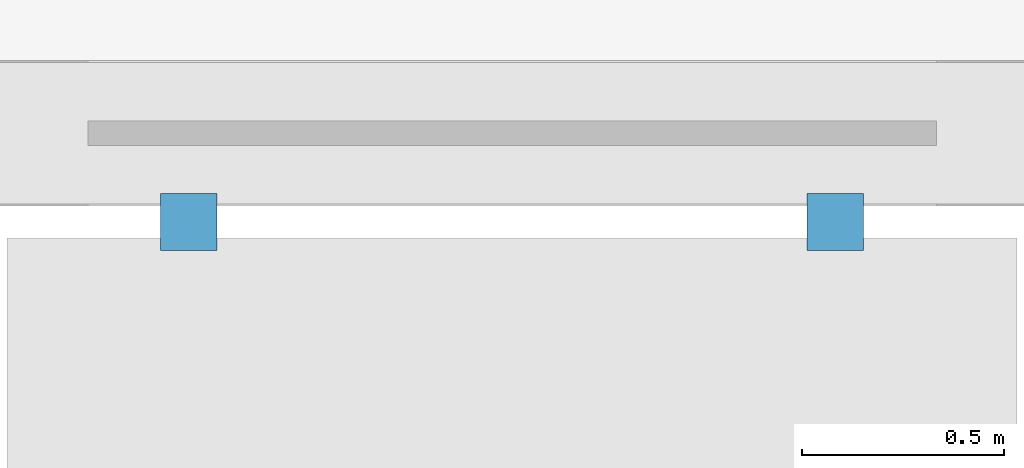
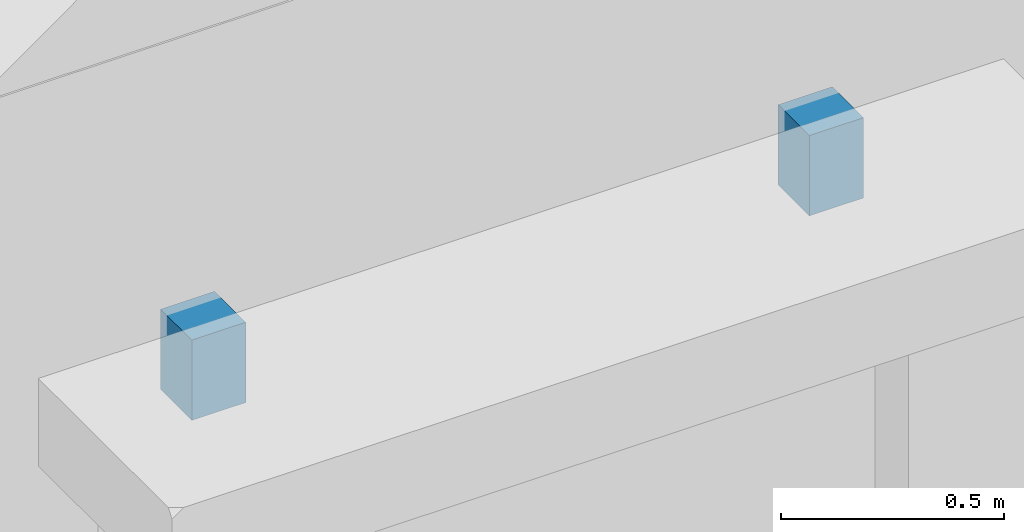
# One storey, part 67 of 75: 2 discrete accessories.
"""IFC4 building model written with IfcOpenShell, lengths in metres."""

import ifcopenshell
import ifcopenshell.guid

model = None  # the IFC model being written
_history = None  # IfcOwnerHistory: only IFC2X3 demands one
_inside = {}  # id of a spatial element -> (the spatial element, [elements in it])
_under = {}  # id of a project, library or spatial element -> (it, [spatial elements below it])
_declared = {}  # id of a project -> (the project, [libraries it declares])
_typed = {}  # id of a type object -> (the type object, [elements of that type])
_made_of = {}  # id of a material, layer set ... -> (it, [elements and type objects made of it])


def new_model(schema):
    """Start an empty IFC model of exactly this schema.

    Asked for "IFC4X3", IfcOpenShell would pick the latest addendum, in which some entities
    have other attributes; the version numbers below select the first issue.
    IFC2X3 requires an IfcOwnerHistory on every rooted entity: one is made here for all.
    """
    global model, _history
    if schema == "IFC4X3":
        model = ifcopenshell.file(schema_version=(4, 3, 0, 0))
    else:
        model = ifcopenshell.file(schema=schema)
    _inside.clear()
    _under.clear()
    _declared.clear()
    _typed.clear()
    _made_of.clear()
    _history = None
    if model.schema == "IFC2X3":
        org = make("IfcOrganization", Name="unknown")
        user = make(
            "IfcPersonAndOrganization",
            ThePerson=make("IfcPerson", FamilyName="unknown"),
            TheOrganization=org,
        )
        app = make(
            "IfcApplication",
            ApplicationDeveloper=org,
            Version="unknown",
            ApplicationFullName="unknown",
            ApplicationIdentifier="unknown",
        )
        _history = make(
            "IfcOwnerHistory",
            OwningUser=user,
            OwningApplication=app,
            ChangeAction="ADDED",
            CreationDate=0,
        )
    return model


def make(cls, **values):
    """One entity of the class cls with the attributes given. An attribute that is None is left unset."""
    return model.create_entity(
        cls, **{name: value for name, value in values.items() if value is not None}
    )


def rooted(cls, **values):
    """An entity with a GlobalId (a new one), such as an element, a storey or a relation."""
    return make(cls, GlobalId=ifcopenshell.guid.new(), OwnerHistory=_history, **values)


def si_unit(unit_type, name, prefix=None):
    """IfcSIUnit, for example si_unit("LENGTHUNIT", "METRE", prefix="MILLI")."""
    return make("IfcSIUnit", UnitType=unit_type, Prefix=prefix, Name=name)


def assignment(units):
    """IfcUnitAssignment: the units of a project."""
    return None if units is None else make("IfcUnitAssignment", Units=units)


def point(xyz):
    """IfcCartesianPoint."""
    return None if xyz is None else make("IfcCartesianPoint", Coordinates=xyz)


def direction(xyz):
    """IfcDirection."""
    return None if xyz is None else make("IfcDirection", DirectionRatios=xyz)


def frame(location, z_axis=None, x_axis=None):
    """IfcAxis2Placement3D, a coordinate frame: its origin and axes. An axis left out is left unset."""
    return make(
        "IfcAxis2Placement3D",
        Location=point(location),
        Axis=direction(z_axis),
        RefDirection=direction(x_axis),
    )


def frame_2d(location, x_axis=None):
    """IfcAxis2Placement2D, a coordinate frame in the plane: its origin and x axis."""
    return make(
        "IfcAxis2Placement2D", Location=point(location), RefDirection=direction(x_axis)
    )


def origin():
    """The frame at (0, 0, 0) with its axes left unset."""
    return frame((0.0, 0.0, 0.0))


def origin_2d():
    """The frame at (0, 0) in the plane with its x axis left unset."""
    return frame_2d((0.0, 0.0))


def place(relative_to, where):
    """IfcLocalPlacement: puts the frame where relative to a parent placement (None: the world)."""
    return make(
        "IfcLocalPlacement", PlacementRelTo=relative_to, RelativePlacement=where
    )


def context(
    kind, dimensions, precision=None, world=None, true_north=None, identifier=None
):
    """IfcGeometricRepresentationContext, for example the 3D "Model" context."""
    return make(
        "IfcGeometricRepresentationContext",
        ContextIdentifier=identifier,
        ContextType=kind,
        CoordinateSpaceDimension=dimensions,
        Precision=precision,
        WorldCoordinateSystem=world,
        TrueNorth=true_north,
    )


def subcontext(parent, identifier, kind, view, scale=None):
    """IfcGeometricRepresentationSubContext, for example "Body" below "Model"."""
    return make(
        "IfcGeometricRepresentationSubContext",
        ContextIdentifier=identifier,
        ContextType=kind,
        ParentContext=parent,
        TargetScale=scale,
        TargetView=view,
    )


def project(units=None, contexts=None):
    """IfcProject with its units and contexts."""
    return rooted(
        "IfcProject",
        Name="project",
        RepresentationContexts=contexts,
        UnitsInContext=assignment(units),
    )


def spatial(cls, under=None, at=None, **own):
    """A site, building, storey or space (cls), placed at a placement, below another one or the project."""
    s = rooted(cls, ObjectPlacement=at, **own)
    if under is not None:
        _under.setdefault(under.id(), (under, []))[1].append(s)
    return s


def profile(cls, at=None, kind="AREA", **sizes):
    """A parametric profile (cls). Its sizes go by their IFC names, for example OverallWidth=200.0."""
    return make(cls, ProfileType=kind, Position=at, **sizes)


def rectangle(**sizes):
    """IfcRectangleProfileDef."""
    return profile("IfcRectangleProfileDef", **sizes)


def extrude(swept, where, along, depth):
    """IfcExtrudedAreaSolid: the profile swept, set in the frame where, extruded along a direction by depth."""
    return make(
        "IfcExtrudedAreaSolid",
        SweptArea=swept,
        Position=where,
        ExtrudedDirection=direction(along),
        Depth=depth,
    )


def shape(context_of_items, identifier, shape_type, items):
    """IfcShapeRepresentation: the items that make up one representation, for example the "Body"."""
    return make(
        "IfcShapeRepresentation",
        ContextOfItems=context_of_items,
        RepresentationIdentifier=identifier,
        RepresentationType=shape_type,
        Items=items,
    )


def material(Name=None, Category=None):
    """IfcMaterial."""
    return make("IfcMaterial", Name=Name, Category=Category)


def made_of(thing, what):
    """Note that an element or type object is made of a material, layer set ...; save() writes the relation."""
    if what is not None:
        _made_of.setdefault(what.id(), (what, []))[1].append(thing)
    return thing


def type_object(cls, material=None, **own):
    """A type object (cls), such as IfcWallType, which elements share."""
    return made_of(rooted(cls, **own), material)


def element(
    cls,
    number,
    at=None,
    inside=None,
    cuts=None,
    type_object=None,
    material=None,
    context=None,
    identifier="Body",
    shape_type=None,
    held_by="IfcProductDefinitionShape",
    body=None,
    shapes=None,
    **own,
):
    """One element of the class cls, such as IfcWall. Its Tag is "e" and its number.

    at: its placement. inside: the storey or other place that contains it. cuts: it is an
    opening in that element (IfcRelVoidsElement). A single representation is given by context,
    identifier, shape_type and body (its items); several are given by shapes. held_by: the class
    of the entity that holds the representations. save() writes the other relations.
    """
    e = rooted(cls, Tag="e%d" % number, ObjectPlacement=at, **own)
    if body is not None:
        shapes = [shape(context, identifier, shape_type, body)]
    if shapes is not None:
        e.Representation = make(held_by, Representations=shapes)
    if inside is not None:
        _inside.setdefault(inside.id(), (inside, []))[1].append(e)
    if cuts is not None:
        rooted(
            "IfcRelVoidsElement", RelatingBuildingElement=cuts, RelatedOpeningElement=e
        )
    if type_object is not None:
        _typed.setdefault(type_object.id(), (type_object, []))[1].append(e)
    return made_of(e, material)


def aggregate(whole, parts):
    """IfcRelAggregates: a whole, such as a stair, and the parts it consists of."""
    return rooted("IfcRelAggregates", RelatingObject=whole, RelatedObjects=parts)


def save(model, path):
    """Write the relations noted so far, then the file.

    IfcRelAggregates (storeys below a building ...), IfcRelContainedInSpatialStructure (elements
    in a storey), IfcRelDefinesByType, IfcRelAssociatesMaterial and IfcRelDeclares: one each for
    every whole, place, type object, material and project.
    """
    for whole, parts in _under.values():
        aggregate(whole, parts)
    for where, things in _inside.values():
        rooted(
            "IfcRelContainedInSpatialStructure",
            RelatedElements=things,
            RelatingStructure=where,
        )
    for kind, things in _typed.values():
        rooted("IfcRelDefinesByType", RelatedObjects=things, RelatingType=kind)
    for what, things in _made_of.values():
        rooted("IfcRelAssociatesMaterial", RelatedObjects=things, RelatingMaterial=what)
    for by, libraries in _declared.values():
        rooted("IfcRelDeclares", RelatingContext=by, RelatedDefinitions=libraries)
    model.write(path)


model = new_model("IFC4")

# Units and contexts
model_context = context("Model", 3, precision=1e-05, world=origin(), true_north=direction((0.0, 1.0)))
body_context = subcontext(model_context, "Body", "Model", "MODEL_VIEW")
ifc_project = project(units=[si_unit("LENGTHUNIT", "METRE"), si_unit("AREAUNIT", "SQUARE_METRE"), si_unit("VOLUMEUNIT", "CUBIC_METRE"), si_unit("PLANEANGLEUNIT", "RADIAN"), si_unit("MASSUNIT", "GRAM", prefix="KILO")], contexts=[model_context])

# Site, building, storey
site_placement = place(None, origin())
site = spatial("IfcSite", under=ifc_project, at=site_placement, CompositionType="ELEMENT")
building_placement = place(site_placement, origin())
building = spatial("IfcBuilding", under=site, at=building_placement, Name="Cendaluz Park School", CompositionType="ELEMENT")
storey_placement = place(building_placement, frame((0.0, 0.0, 4.800048828125)))
storey = spatial("IfcBuildingStorey", under=building, at=storey_placement, Name="L01", CompositionType="ELEMENT", Elevation=4.800048828125)

# Discrete accessories
ifc_material = material(Name="Steel S355", Category="steel")
discrete_accessory_type = type_object("IfcDiscreteAccessoryType", Name="BK-01", PredefinedType="BRACKET", material=ifc_material)
for number, where, z_axis, x_axis, name in (
    (1, (31.66259765625, -0.219970703125, 2.8798828125), (0.0, 0.0, 1.0), (1.0, 0.0, 0.0), "BK-L01-075"),
    (2, (33.262451171875, -0.219970703125, 2.8798828125), (0.0, 0.0, 1.0), (1.0, 0.0, 0.0), "BK-L01-076"),
):
    element("IfcDiscreteAccessory", number, at=place(storey_placement, frame(where, z_axis=z_axis, x_axis=x_axis)), inside=storey, type_object=discrete_accessory_type, Name=name, PredefinedType="BRACKET", context=body_context, shape_type="SweptSolid", body=[
        extrude(rectangle(XDim=0.139892578125, YDim=0.139892578125, at=origin_2d()), origin(), (0.0, 0.0, 1.0), 0.219970703125),
    ])

save(model, "model.ifc")
